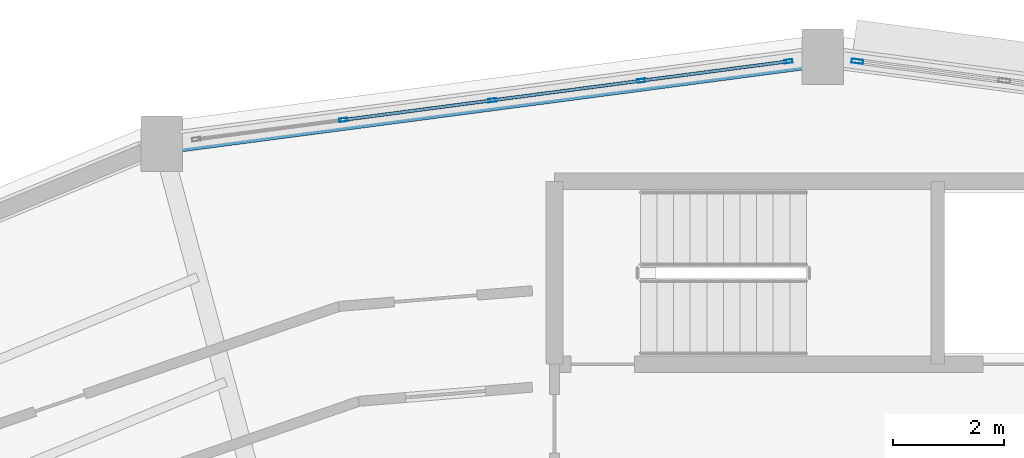
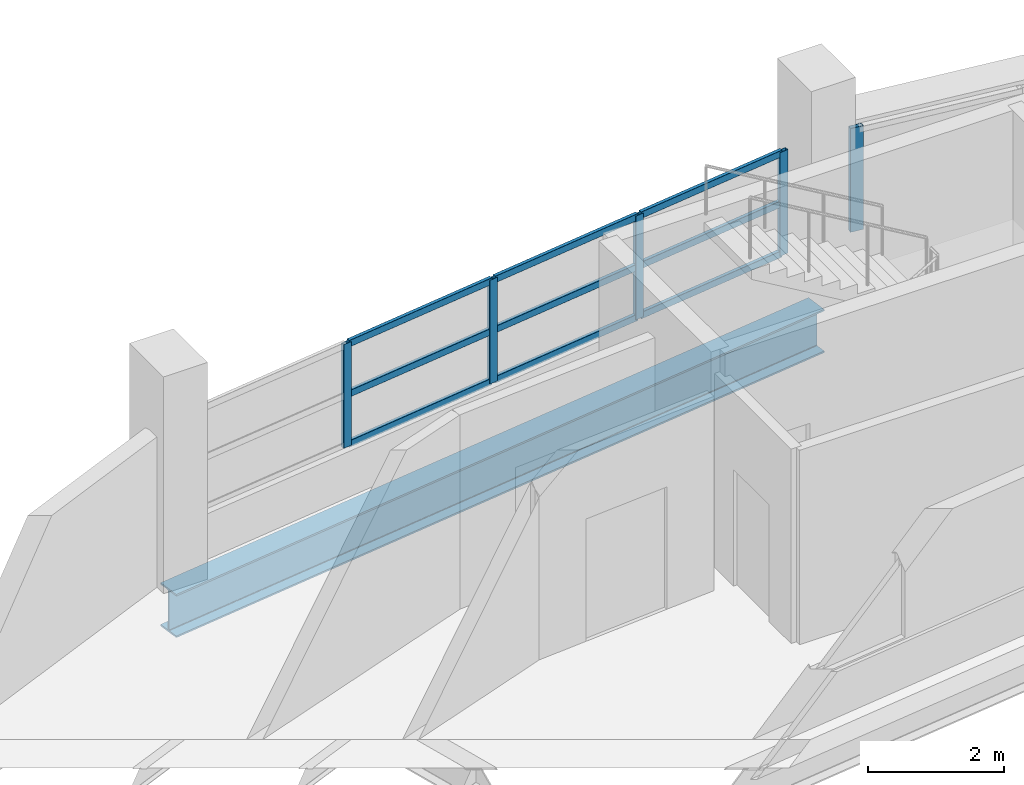
# One storey, part 56 of 121: 14 members, 1 beam, 2 elements without a shape of their own.
"""IFC4 building model written with IfcOpenShell, lengths in metres."""

from ifc_helpers import new_model, si_unit, direction, frame, origin, origin_2d, place, context, subcontext, project, spatial, hollow_rectangle, i_section, extrude, material, layer, layer_set, material_profile, profile_set, type_object, element, aggregate, save


model = new_model("IFC4")

# Units and contexts
model_context = context("Model", 3, precision=1e-05, world=origin(), true_north=direction((0.0, 1.0)))
body_context = subcontext(model_context, "Body", "Model", "MODEL_VIEW")
ifc_project = project(units=[si_unit("LENGTHUNIT", "METRE"), si_unit("AREAUNIT", "SQUARE_METRE"), si_unit("VOLUMEUNIT", "CUBIC_METRE"), si_unit("PLANEANGLEUNIT", "RADIAN"), si_unit("MASSUNIT", "GRAM", prefix="KILO")], contexts=[model_context])

# Site, building, storey
site_placement = place(None, origin())
site = spatial("IfcSite", under=ifc_project, at=site_placement, CompositionType="ELEMENT")
building_placement = place(site_placement, origin())
building = spatial("IfcBuilding", under=site, at=building_placement, Name="Vespera Passage Community Centre", CompositionType="ELEMENT")
storey_placement = place(building_placement, frame((0.0, 0.0, 8.699951171875)))
storey = spatial("IfcBuildingStorey", under=building, at=storey_placement, Name="L02", CompositionType="ELEMENT", Elevation=8.699951171875)

# Beam
ifc_material_1 = material(Name="Steel ASTM A992 Grade 50", Category="steel")
ifc_material_profile_1 = material_profile(ifc_material_1, i_section(OverallWidth=0.382080078125, OverallDepth=0.779296875, WebThickness=0.01806640625, FlangeThickness=0.030029296875, FilletRadius=0.0166015625, at=origin_2d()), Name="W30X191")
ifc_profile_set_1 = profile_set([ifc_material_profile_1], Name="Steel ASTM A992 Grade 50")
beam_type = type_object("IfcBeamType", Name="BM-SP-W30X191E", PredefinedType="SPANDREL", material=ifc_profile_set_1)
beam_placement = place(storey_placement, frame((78.0, 111.60009765625, -0.729736328125), z_axis=(-0.991445178667, -0.130523782115, 0.0), x_axis=(0.130523782115, -0.991445178667, 0.0)))
element("IfcBeam", 1, at=beam_placement, inside=storey, type_object=beam_type, Name="V4 L02 Outer Spandrel 6", PredefinedType="SPANDREL", context=body_context, shape_type="SweptSolid", body=[
    extrude(i_section(OverallWidth=0.382080078125, OverallDepth=0.779296875, WebThickness=0.01806640625, FlangeThickness=0.030029296875, FilletRadius=0.0166015625, at=origin_2d()), origin(), (0.0, 0.0, 1.0), 12.03466796875),
])

# Curtain wall, members
ifc_material_2 = material(Name="Anodized aluminium 6063-T6", Category="aluminium")
ifc_layer_1 = layer(ifc_material_2, 0.159912109375)
ifc_layer_set_1 = layer_set([ifc_layer_1], Name="Anodized aluminium 6063-T6")
curtain_wall_type_1 = type_object("IfcCurtainWallType", Name="CW-28E", PredefinedType="NOTDEFINED", material=ifc_layer_set_1)
curtain_wall_1_placement = place(storey_placement, origin())
curtain_wall_1 = element("IfcCurtainWall", 2, at=curtain_wall_1_placement, inside=storey, type_object=curtain_wall_type_1, Name="V4 L02 Outer Ribbon Curtain Wall 6", PredefinedType="NOTDEFINED")
ifc_material_3 = material(Name="Anodized aluminium 6063-T6", Category="aluminium")
ifc_material_profile_2 = material_profile(ifc_material_3, hollow_rectangle(XDim=0.06494140625, YDim=0.14990234375, WallThickness=0.00390625, InnerFilletRadius=0.001953125, OuterFilletRadius=0.00390625, at=origin_2d()), Name="ALU150X65X4")
ifc_profile_set_2 = profile_set([ifc_material_profile_2], Name="Anodized aluminium 6063-T6")
member_type_1 = type_object("IfcMemberType", Name="MB-CWM-150E", PredefinedType="MULLION", material=ifc_profile_set_2)
member_1_placement = place(storey_placement, frame((69.345458984375, 110.460693359375, 0.820068359375), z_axis=(0.0, 0.0, 1.0), x_axis=(-0.130530818696, 0.991444252276, 0.0)))
member_1 = element("IfcMember", 3, at=member_1_placement, type_object=member_type_1, Name="CW-28E mullion 2", PredefinedType="MULLION", context=body_context, shape_type="SweptSolid", body=[
    extrude(hollow_rectangle(XDim=0.06494140625, YDim=0.14990234375, WallThickness=0.00390625, InnerFilletRadius=0.001953125, OuterFilletRadius=0.00390625, at=origin_2d()), origin(), (0.0, 0.0, 1.0), 1.865478515625),
])
member_2_placement = place(storey_placement, frame((72.0341796875, 110.814697265625, 0.820068359375), z_axis=(0.0, 0.0, 1.0), x_axis=(-0.130530818696, 0.991444252276, 0.0)))
member_2 = element("IfcMember", 4, at=member_2_placement, type_object=member_type_1, Name="CW-28E mullion 3", PredefinedType="MULLION", context=body_context, shape_type="SweptSolid", body=[
    extrude(hollow_rectangle(XDim=0.06494140625, YDim=0.14990234375, WallThickness=0.00390625, InnerFilletRadius=0.001953125, OuterFilletRadius=0.00390625, at=origin_2d()), origin(), (0.0, 0.0, 1.0), 1.865478515625),
])
member_3_placement = place(storey_placement, frame((74.722900390625, 111.168701171875, 0.820068359375), z_axis=(0.0, 0.0, 1.0), x_axis=(-0.130530818696, 0.991444252276, 0.0)))
member_3 = element("IfcMember", 5, at=member_3_placement, type_object=member_type_1, Name="CW-28E mullion 4", PredefinedType="MULLION", context=body_context, shape_type="SweptSolid", body=[
    extrude(hollow_rectangle(XDim=0.06494140625, YDim=0.14990234375, WallThickness=0.00390625, InnerFilletRadius=0.001953125, OuterFilletRadius=0.00390625, at=origin_2d()), origin(), (0.0, 0.0, 1.0), 1.865478515625),
])
member_4_placement = place(storey_placement, frame((77.379638671875, 111.518310546875, 0.820068359375), z_axis=(0.0, 0.0, 1.0), x_axis=(-0.130530818696, 0.991444252276, 0.0)))
member_4 = element("IfcMember", 6, at=member_4_placement, type_object=member_type_1, Name="CW-28E mullion 5", PredefinedType="MULLION", context=body_context, shape_type="SweptSolid", body=[
    extrude(hollow_rectangle(XDim=0.06494140625, YDim=0.14990234375, WallThickness=0.00390625, InnerFilletRadius=0.001953125, OuterFilletRadius=0.00390625, at=origin_2d()), origin(), (0.0, 0.0, 1.0), 1.865478515625),
])

# Curtain wall, member
ifc_material_4 = material(Name="Anodized aluminium 6063-T6", Category="aluminium")
ifc_layer_2 = layer(ifc_material_4, 0.159912109375)
ifc_layer_set_2 = layer_set([ifc_layer_2], Name="Anodized aluminium 6063-T6")
curtain_wall_type_2 = type_object("IfcCurtainWallType", Name="CW-26E", PredefinedType="NOTDEFINED", material=ifc_layer_set_2)
curtain_wall_2_placement = place(storey_placement, origin())
curtain_wall_2 = element("IfcCurtainWall", 7, at=curtain_wall_2_placement, inside=storey, type_object=curtain_wall_type_2, Name="V4 L02 Outer Ribbon Curtain Wall 5", PredefinedType="NOTDEFINED")
ifc_material_5 = material(Name="Anodized aluminium 6063-T6", Category="aluminium")
ifc_material_profile_3 = material_profile(ifc_material_5, hollow_rectangle(XDim=0.074951171875, YDim=0.2099609375, WallThickness=0.0048828125, InnerFilletRadius=0.00244140625, OuterFilletRadius=0.0048828125, at=origin_2d()), Name="ALU210X75X5")
ifc_profile_set_3 = profile_set([ifc_material_profile_3], Name="Anodized aluminium 6063-T6")
member_type_2 = type_object("IfcMemberType", Name="MB-CWM-210E", PredefinedType="MULLION", material=ifc_profile_set_3)
member_5_placement = place(storey_placement, frame((78.62548828125, 111.517822265625, 0.820068359375), z_axis=(0.0, 0.0, 1.0), x_axis=(0.130530818696, 0.991444252276, 0.0)))
member_5 = element("IfcMember", 8, at=member_5_placement, type_object=member_type_2, Name="CW-26E mullion 1", PredefinedType="MULLION", context=body_context, shape_type="SweptSolid", body=[
    extrude(hollow_rectangle(XDim=0.074951171875, YDim=0.2099609375, WallThickness=0.0048828125, InnerFilletRadius=0.00244140625, OuterFilletRadius=0.0048828125, at=origin_2d()), origin(), (0.0, 0.0, 1.0), 1.865478515625),
])
aggregate(curtain_wall_2, [member_5])

# Member
ifc_material_6 = material(Name="Anodized aluminium 6063-T6", Category="aluminium")
ifc_material_profile_4 = material_profile(ifc_material_6, hollow_rectangle(XDim=0.06005859375, YDim=0.1201171875, WallThickness=0.00390625, InnerFilletRadius=0.001953125, OuterFilletRadius=0.00390625, at=origin_2d()), Name="ALU120X60X4")
ifc_profile_set_4 = profile_set([ifc_material_profile_4], Name="Anodized aluminium 6063-T6")
member_type_3 = type_object("IfcMemberType", Name="MB-CWT-120E", PredefinedType="USERDEFINED", material=ifc_profile_set_4)
member_6_placement = place(storey_placement, frame((69.377685546875, 110.46484375, 0.85009765625), z_axis=(0.991446445198, 0.130514161313, 0.0), x_axis=(-0.130514161313, 0.991446445198, 0.0)))
member_6 = element("IfcMember", 9, at=member_6_placement, type_object=member_type_3, Name="CW-28E transom 2.1", ObjectType="TRANSOM", PredefinedType="USERDEFINED", context=body_context, shape_type="SweptSolid", body=[
    extrude(hollow_rectangle(XDim=0.06005859375, YDim=0.1201171875, WallThickness=0.00390625, InnerFilletRadius=0.001953125, OuterFilletRadius=0.00390625, at=origin_2d()), origin(), (0.0, 0.0, 1.0), 2.64697265625),
])

member_7_placement = place(storey_placement, frame((69.377685546875, 110.46484375, 1.7529296875), z_axis=(0.991446445198, 0.130514161313, 0.0), x_axis=(-0.130514161313, 0.991446445198, 0.0)))
member_7 = element("IfcMember", 10, at=member_7_placement, type_object=member_type_3, Name="CW-28E transom 2.2", ObjectType="TRANSOM", PredefinedType="USERDEFINED", context=body_context, shape_type="SweptSolid", body=[
    extrude(hollow_rectangle(XDim=0.06005859375, YDim=0.1201171875, WallThickness=0.00390625, InnerFilletRadius=0.001953125, OuterFilletRadius=0.00390625, at=origin_2d()), origin(), (0.0, 0.0, 1.0), 2.64697265625),
])

member_8_placement = place(storey_placement, frame((69.377685546875, 110.46484375, 2.65576171875), z_axis=(0.991446445198, 0.130514161313, 0.0), x_axis=(-0.130514161313, 0.991446445198, 0.0)))
member_8 = element("IfcMember", 11, at=member_8_placement, type_object=member_type_3, Name="CW-28E transom 2.3", ObjectType="TRANSOM", PredefinedType="USERDEFINED", context=body_context, shape_type="SweptSolid", body=[
    extrude(hollow_rectangle(XDim=0.06005859375, YDim=0.1201171875, WallThickness=0.00390625, InnerFilletRadius=0.001953125, OuterFilletRadius=0.00390625, at=origin_2d()), origin(), (0.0, 0.0, 1.0), 2.64697265625),
])

member_9_placement = place(storey_placement, frame((72.06640625, 110.81884765625, 0.85009765625), z_axis=(0.991446445198, 0.130514161313, 0.0), x_axis=(-0.130514161313, 0.991446445198, 0.0)))
member_9 = element("IfcMember", 12, at=member_9_placement, type_object=member_type_3, Name="CW-28E transom 3.1", ObjectType="TRANSOM", PredefinedType="USERDEFINED", context=body_context, shape_type="SweptSolid", body=[
    extrude(hollow_rectangle(XDim=0.06005859375, YDim=0.1201171875, WallThickness=0.00390625, InnerFilletRadius=0.001953125, OuterFilletRadius=0.00390625, at=origin_2d()), origin(), (0.0, 0.0, 1.0), 2.64697265625),
])

member_10_placement = place(storey_placement, frame((72.06640625, 110.81884765625, 1.7529296875), z_axis=(0.991446445198, 0.130514161313, 0.0), x_axis=(-0.130514161313, 0.991446445198, 0.0)))
member_10 = element("IfcMember", 13, at=member_10_placement, type_object=member_type_3, Name="CW-28E transom 3.2", ObjectType="TRANSOM", PredefinedType="USERDEFINED", context=body_context, shape_type="SweptSolid", body=[
    extrude(hollow_rectangle(XDim=0.06005859375, YDim=0.1201171875, WallThickness=0.00390625, InnerFilletRadius=0.001953125, OuterFilletRadius=0.00390625, at=origin_2d()), origin(), (0.0, 0.0, 1.0), 2.64697265625),
])

member_11_placement = place(storey_placement, frame((72.06640625, 110.81884765625, 2.65576171875), z_axis=(0.991446445198, 0.130514161313, 0.0), x_axis=(-0.130514161313, 0.991446445198, 0.0)))
member_11 = element("IfcMember", 14, at=member_11_placement, type_object=member_type_3, Name="CW-28E transom 3.3", ObjectType="TRANSOM", PredefinedType="USERDEFINED", context=body_context, shape_type="SweptSolid", body=[
    extrude(hollow_rectangle(XDim=0.06005859375, YDim=0.1201171875, WallThickness=0.00390625, InnerFilletRadius=0.001953125, OuterFilletRadius=0.00390625, at=origin_2d()), origin(), (0.0, 0.0, 1.0), 2.64697265625),
])

member_12_placement = place(storey_placement, frame((74.755126953125, 111.1728515625, 0.85009765625), z_axis=(0.991443486455, 0.130536635342, 0.0), x_axis=(-0.130536635342, 0.991443486455, 0.0)))
member_12 = element("IfcMember", 15, at=member_12_placement, type_object=member_type_3, Name="CW-28E transom 4.1", ObjectType="TRANSOM", PredefinedType="USERDEFINED", context=body_context, shape_type="SweptSolid", body=[
    extrude(hollow_rectangle(XDim=0.06005859375, YDim=0.1201171875, WallThickness=0.00390625, InnerFilletRadius=0.001953125, OuterFilletRadius=0.00390625, at=origin_2d()), origin(), (0.0, 0.0, 1.0), 2.61474609375),
])

member_13_placement = place(storey_placement, frame((74.755126953125, 111.1728515625, 1.7529296875), z_axis=(0.991443486455, 0.130536635342, 0.0), x_axis=(-0.130536635342, 0.991443486455, 0.0)))
member_13 = element("IfcMember", 16, at=member_13_placement, type_object=member_type_3, Name="CW-28E transom 4.2", ObjectType="TRANSOM", PredefinedType="USERDEFINED", context=body_context, shape_type="SweptSolid", body=[
    extrude(hollow_rectangle(XDim=0.06005859375, YDim=0.1201171875, WallThickness=0.00390625, InnerFilletRadius=0.001953125, OuterFilletRadius=0.00390625, at=origin_2d()), origin(), (0.0, 0.0, 1.0), 2.61474609375),
])

member_14_placement = place(storey_placement, frame((74.755126953125, 111.1728515625, 2.65576171875), z_axis=(0.991443486455, 0.130536635342, 0.0), x_axis=(-0.130536635342, 0.991443486455, 0.0)))
member_14 = element("IfcMember", 17, at=member_14_placement, type_object=member_type_3, Name="CW-28E transom 4.3", ObjectType="TRANSOM", PredefinedType="USERDEFINED", context=body_context, shape_type="SweptSolid", body=[
    extrude(hollow_rectangle(XDim=0.06005859375, YDim=0.1201171875, WallThickness=0.00390625, InnerFilletRadius=0.001953125, OuterFilletRadius=0.00390625, at=origin_2d()), origin(), (0.0, 0.0, 1.0), 2.61474609375),
])

aggregate(curtain_wall_1, [member_1, member_2, member_3, member_4, member_6, member_7, member_8, member_9, member_10, member_11, member_12, member_13, member_14])

save(model, "model.ifc")
